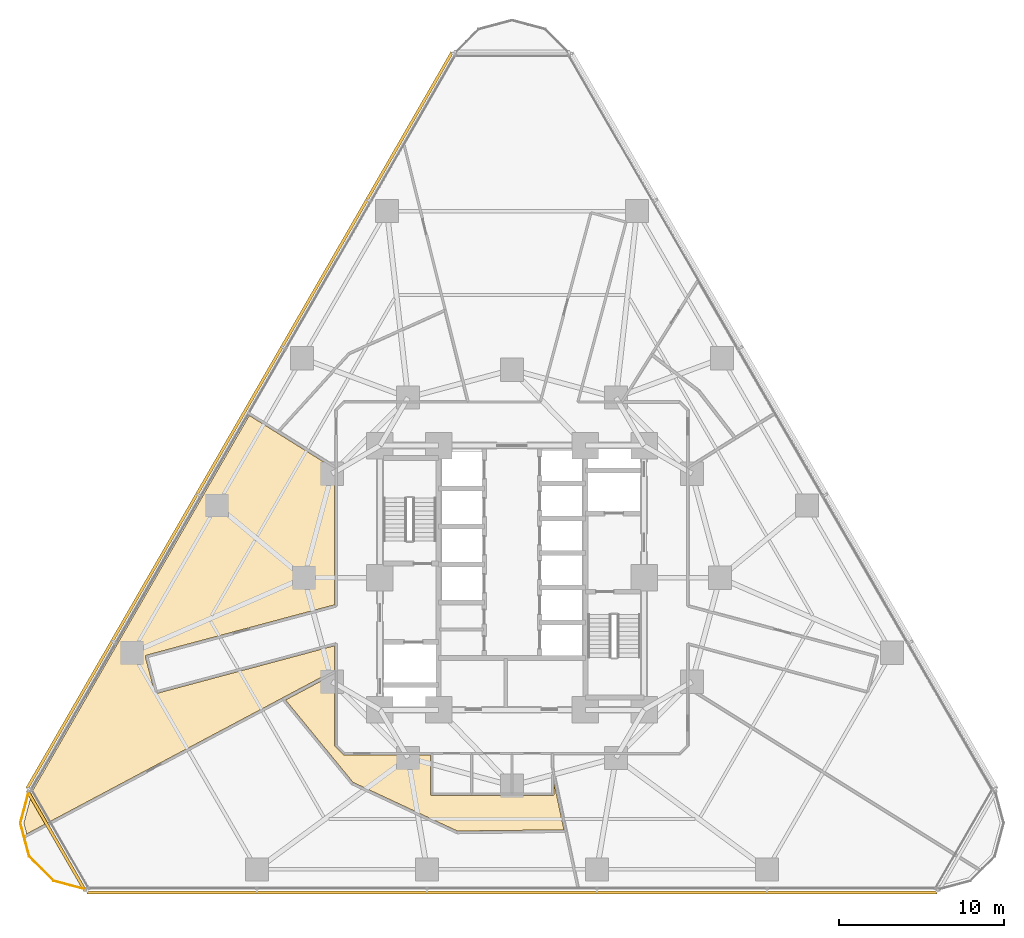
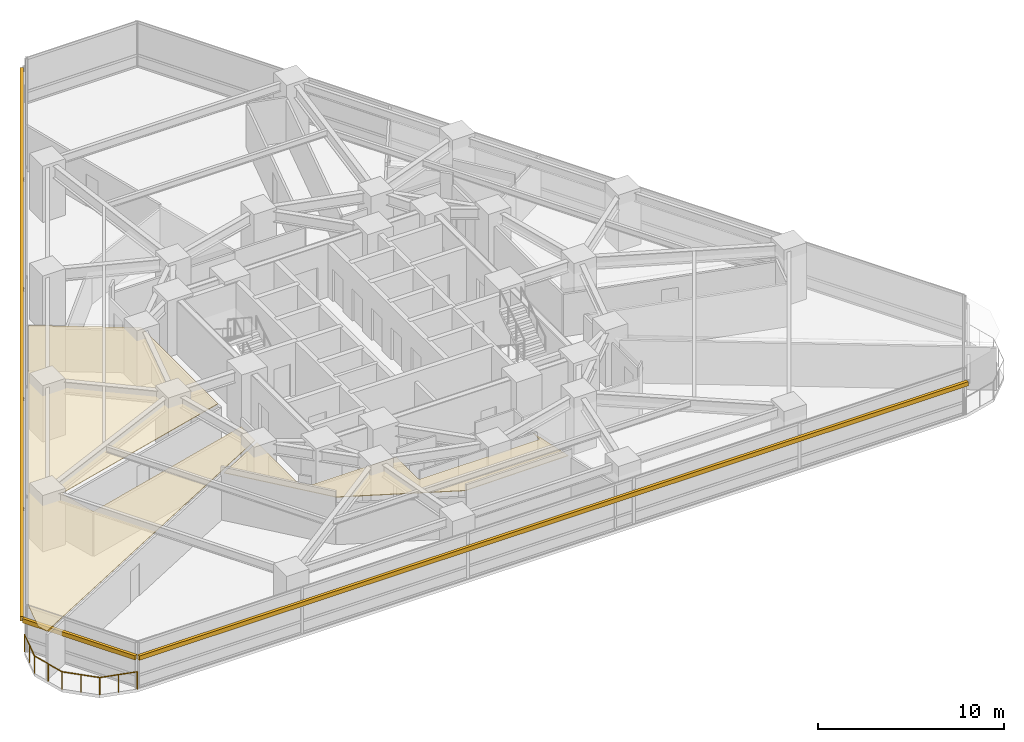
# One storey, part 12 of 15: 3 shading devices, 2 coverings, 1 railing.
"""IFC4 building model written with IfcOpenShell, lengths in metres."""

from ifc_helpers import new_model, si_unit, direction, frame, origin, origin_2d, place, context, subcontext, project, spatial, polyline, rectangle, circle, outline, extrude, material, layer, layer_set, type_object, element, save


model = new_model("IFC4")

# Units and contexts
model_context = context("Model", 3, precision=1e-05, world=origin(), true_north=direction((0.0, 1.0)))
body_context = subcontext(model_context, "Body", "Model", "MODEL_VIEW")
ifc_project = project(units=[si_unit("LENGTHUNIT", "METRE"), si_unit("AREAUNIT", "SQUARE_METRE"), si_unit("VOLUMEUNIT", "CUBIC_METRE"), si_unit("PLANEANGLEUNIT", "RADIAN"), si_unit("MASSUNIT", "GRAM", prefix="KILO")], contexts=[model_context])

# Site, building, storey
site_placement = place(None, origin())
site = spatial("IfcSite", under=ifc_project, at=site_placement, CompositionType="ELEMENT")
building_placement = place(site_placement, origin())
building = spatial("IfcBuilding", under=site, at=building_placement, Name="Terralouvre Media Tower", CompositionType="ELEMENT")
storey_placement = place(building_placement, frame((0.0, 0.0, 33.39990234375)))
storey = spatial("IfcBuildingStorey", under=building, at=storey_placement, Name="L07", CompositionType="ELEMENT", Elevation=33.39990234375)

# Coverings
ifc_material_1 = material(Name="Perforated aluminium acoustic ceiling baffle", Category="aluminium")
ifc_layer_1 = layer(ifc_material_1, 0.0400390625, Name="Perforated Acoustic Metal Tile Ceiling CL-AC1")
ifc_layer_set_1 = layer_set([ifc_layer_1], Name="Perforated aluminium acoustic ceiling baffle")
covering_type = type_object("IfcCoveringType", Name="Perforated Acoustic Metal Tile Ceiling CL-AC1", PredefinedType="CEILING", material=ifc_layer_set_1)
covering_1_placement = place(storey_placement, frame((0.0, 0.0, 2.97998046875)))
element("IfcCovering", 1, at=covering_1_placement, inside=storey, type_object=covering_type, Name="L07 Assignment Editors Workspace 3 Acoustic Ceiling", PredefinedType="CEILING", context=body_context, shape_type="SweptSolid", body=[
    extrude(outline(polyline([(-10.75, -5.602783203125), (-10.75, -4.122314453125), (-21.51904296875, -7.008544921875), (-21.52880859375, -7.0107421875), (-21.53857421875, -7.01171875), (-21.54833984375, -7.011962890625), (-21.55810546875, -7.010986328125), (-21.567626953125, -7.009521484375), (-21.5771484375, -7.006591796875), (-21.586181640625, -7.003173828125), (-21.594970703125, -6.99853515625), (-21.603271484375, -6.993408203125), (-21.61083984375, -6.9873046875), (-21.617919921875, -6.98046875), (-21.624267578125, -6.972900390625), (-21.6298828125, -6.96484375), (-21.634765625, -6.956298828125), (-21.638671875, -6.947265625), (-21.6416015625, -6.93798828125), (-22.211669921875, -4.81298828125), (-22.213623046875, -4.80322265625), (-22.21484375, -4.793701171875), (-22.21484375, -4.78369140625), (-22.214111328125, -4.77392578125), (-22.21240234375, -4.764404296875), (-22.209716796875, -4.7548828125), (-22.2060546875, -4.74560546875), (-22.20166015625, -4.737060546875), (-22.1962890625, -4.728759765625), (-22.190185546875, -4.72119140625), (-22.183349609375, -4.714111328125), (-22.17578125, -4.707763671875), (-22.167724609375, -4.7021484375), (-22.1591796875, -4.697265625), (-22.150146484375, -4.693359375), (-22.140869140625, -4.6904296875), (-10.75, -1.63818359375), (-10.75, 6.599609375), (-14.22802734375, 8.772216796875), (-15.915283203125, 9.827392578125), (-29.052734375, -12.926513671875), (-29.572509765625, -14.866943359375), (-29.39794921875, -15.517578125), (-13.919921875, -7.28759765625), (-10.75, -5.602783203125)])), origin(), (0.0, 0.0, 1.0), 0.0400390625),
])
covering_2_placement = place(storey_placement, frame((0.0, 0.0, 2.97998046875)))
element("IfcCovering", 2, at=covering_2_placement, inside=storey, type_object=covering_type, Name="L07 Morning Rundown Briefing Room 5 Acoustic Ceiling", PredefinedType="CEILING", context=body_context, shape_type="SweptSolid", body=[
    extrude(outline(polyline([(-9.628173828125, -12.39794921875), (-3.308349609375, -15.3447265625), (3.143798828125, -15.269287109375), (2.550048828125, -12.47705078125), (2.550048828125, -13.10009765625), (2.549560546875, -13.10986328125), (2.548095703125, -13.119384765625), (2.545654296875, -13.12890625), (2.54248046875, -13.13818359375), (2.5380859375, -13.147216796875), (2.533203125, -13.155517578125), (2.52734375, -13.163330078125), (2.520751953125, -13.170654296875), (2.513427734375, -13.17724609375), (2.505615234375, -13.18310546875), (2.4970703125, -13.188232421875), (2.48828125, -13.1923828125), (2.47900390625, -13.19580078125), (2.469482421875, -13.197998046875), (2.459716796875, -13.199462890625), (2.449951171875, -13.199951171875), (-4.85009765625, -13.199951171875), (-4.85986328125, -13.199462890625), (-4.869384765625, -13.197998046875), (-4.87890625, -13.19580078125), (-4.88818359375, -13.1923828125), (-4.897216796875, -13.188232421875), (-4.905517578125, -13.18310546875), (-4.913330078125, -13.17724609375), (-4.920654296875, -13.170654296875), (-4.92724609375, -13.163330078125), (-4.93310546875, -13.155517578125), (-4.938232421875, -13.147216796875), (-4.9423828125, -13.13818359375), (-4.94580078125, -13.12890625), (-4.947998046875, -13.119384765625), (-4.949462890625, -13.10986328125), (-4.949951171875, -13.10009765625), (-4.949951171875, -10.75), (-10.14990234375, -10.75), (-10.159912109375, -10.74951171875), (-10.16943359375, -10.748046875), (-10.178955078125, -10.74560546875), (-10.188232421875, -10.742431640625), (-10.197021484375, -10.73828125), (-10.20556640625, -10.733154296875), (-10.21337890625, -10.727294921875), (-10.220703125, -10.720703125), (-10.720703125, -10.220703125), (-10.727294921875, -10.21337890625), (-10.733154296875, -10.20556640625), (-10.73828125, -10.197021484375), (-10.742431640625, -10.188232421875), (-10.74560546875, -10.178955078125), (-10.748046875, -10.16943359375), (-10.74951171875, -10.159912109375), (-10.75, -10.14990234375), (-10.75, -5.829345703125), (-13.71826171875, -7.406982421875), (-9.628173828125, -12.39794921875)])), origin(), (0.0, 0.0, 1.0), 0.0400390625),
])

# Railing
ifc_material_2 = material(Name="Stainless steel 316 handrail and balustrade", Category="steel")
ifc_layer_2 = layer(ifc_material_2, 0.06005859375, Name="Roof Edge Safety Guardrail GR-ROOF1")
ifc_layer_set_2 = layer_set([ifc_layer_2], Name="Stainless steel 316 handrail and balustrade")
railing_type = type_object("IfcRailingType", Name="Roof Edge Safety Guardrail GR-ROOF1", PredefinedType="GUARDRAIL", material=ifc_layer_set_2)
railing_placement = place(storey_placement, frame((-29.24365234375, -12.835693359375, 0.0)))
element("IfcRailing", 3, at=railing_placement, inside=storey, type_object=railing_type, Name="L07 Wind-Corner Perimeter Safety Guardrail C0", PredefinedType="GUARDRAIL", context=body_context, shape_type="SweptSolid", body=[
    extrude(circle(Radius=0.02099609375, at=origin_2d()), frame((0.0, 0.0, 1.12890625), z_axis=(-0.259054358605, -0.965862743503, 0.0), x_axis=(0.965862743503, -0.259054358605, 0.0)), (0.0, 0.0, 1.0), 2.095947265625),
    extrude(circle(Radius=0.02099609375, at=origin_2d()), frame((-0.54296875, -2.0244140625, 1.12890625), z_axis=(0.258757438042, -0.965942331745, 0.0), x_axis=(0.965942331745, 0.258757438042, 0.0)), (0.0, 0.0, 1.0), 2.095458984375),
    extrude(circle(Radius=0.02099609375, at=origin_2d()), frame((-0.000732421875, -4.048583984375, 1.12890625), z_axis=(0.707165029613, -0.707048527961, 0.0), x_axis=(0.707048527961, 0.707165029613, 0.0)), (0.0, 0.0, 1.0), 2.095703125),
    extrude(circle(Radius=0.02099609375, at=origin_2d()), frame((1.481201171875, -5.5302734375, 1.12890625), z_axis=(0.965987029675, -0.258590522836, 0.0), x_axis=(0.258590522836, 0.965987029675, 0.0)), (0.0, 0.0, 1.0), 2.095947265625),
    extrude(circle(Radius=0.01904296875, at=origin_2d()), origin(), (0.0, 0.0, 1.0), 1.10791015625),
    extrude(circle(Radius=0.01904296875, at=origin_2d()), frame((-0.271484375, -1.01220703125, 0.0)), (0.0, 0.0, 1.0), 1.10791015625),
    extrude(circle(Radius=0.01904296875, at=origin_2d()), frame((-0.54296875, -2.0244140625, 0.0)), (0.0, 0.0, 1.0), 1.10791015625),
    extrude(circle(Radius=0.01904296875, at=origin_2d()), frame((-0.27197265625, -3.03662109375, 0.0)), (0.0, 0.0, 1.0), 1.10791015625),
    extrude(circle(Radius=0.01904296875, at=origin_2d()), frame((-0.000732421875, -4.048583984375, 0.0)), (0.0, 0.0, 1.0), 1.10791015625),
    extrude(circle(Radius=0.01904296875, at=origin_2d()), frame((0.740234375, -4.78955078125, 0.0)), (0.0, 0.0, 1.0), 1.10791015625),
    extrude(circle(Radius=0.01904296875, at=origin_2d()), frame((1.481201171875, -5.5302734375, 0.0)), (0.0, 0.0, 1.0), 1.10791015625),
    extrude(circle(Radius=0.01904296875, at=origin_2d()), frame((2.49365234375, -5.80126953125, 0.0)), (0.0, 0.0, 1.0), 1.10791015625),
    extrude(circle(Radius=0.01904296875, at=origin_2d()), frame((3.505859375, -6.072265625, 0.0)), (0.0, 0.0, 1.0), 1.10791015625),
])

# Shading devices
ifc_material_3 = material(Name="Extruded terracotta baguette sunshade louvres", Category="masonry")
shading_device_type = type_object("IfcShadingDeviceType", Name="Terracotta Baguette Sunshade Louvre Screen TB-LV1", PredefinedType="USERDEFINED", material=ifc_material_3)
for number, where, z_axis, x_axis, name in (
    (4, (0.0, -19.056884765625, 2.02392578125), (0.0, 0.0, 1.0), (1.0, 0.0, 0.0), "CW-L07-F0 Terracotta Baguette Sunshade Louvre"),
    (5, (-16.503662109375, 9.5283203125, 2.02392578125), (0.0, 0.0, 1.0), (-0.499999985671, -0.866025412057, 0.0), "CW-L07-F2 Terracotta Baguette Sunshade Louvre"),
):
    element("IfcShadingDevice", number, at=place(storey_placement, frame(where, z_axis=z_axis, x_axis=x_axis)), inside=storey, type_object=shading_device_type, Name=name, ObjectType="BAGUETTE", PredefinedType="USERDEFINED", context=body_context, shape_type="SweptSolid", body=[
        extrude(rectangle(XDim=51.5, YDim=0.179931640625, at=origin_2d()), origin(), (0.0, 0.0, 1.0), 0.280029296875),
    ])
shading_device_placement = place(storey_placement, frame((-27.607666015625, -15.939208984375, 2.02392578125), z_axis=(0.0, 0.0, 1.0), x_axis=(0.499999691503, -0.866025581895, 0.0)))
element("IfcShadingDevice", 6, at=shading_device_placement, inside=storey, type_object=shading_device_type, Name="CW-L07-C0 Terracotta Baguette Sunshade Louvre", ObjectType="BAGUETTE", PredefinedType="USERDEFINED", context=body_context, shape_type="SweptSolid", body=[
    extrude(rectangle(XDim=7.014892578125, YDim=0.179931640625, at=origin_2d()), origin(), (0.0, 0.0, 1.0), 0.280029296875),
])

save(model, "model.ifc")
